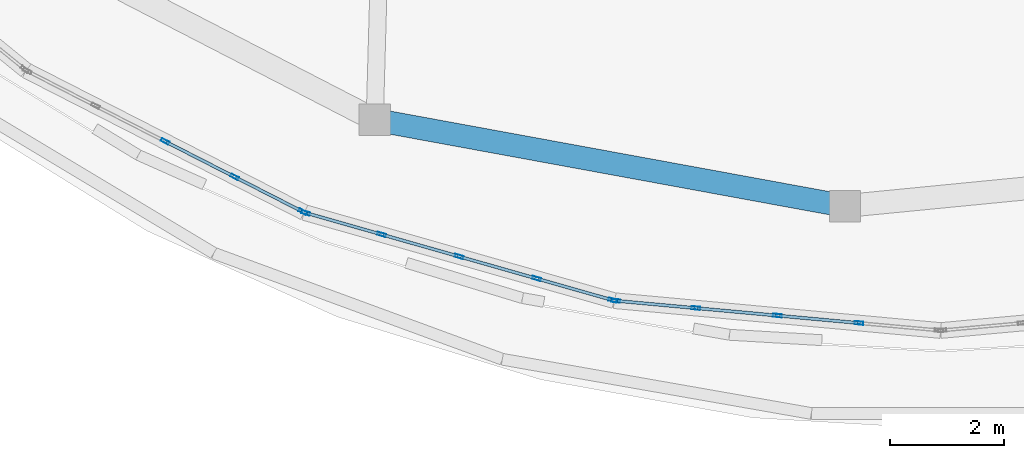
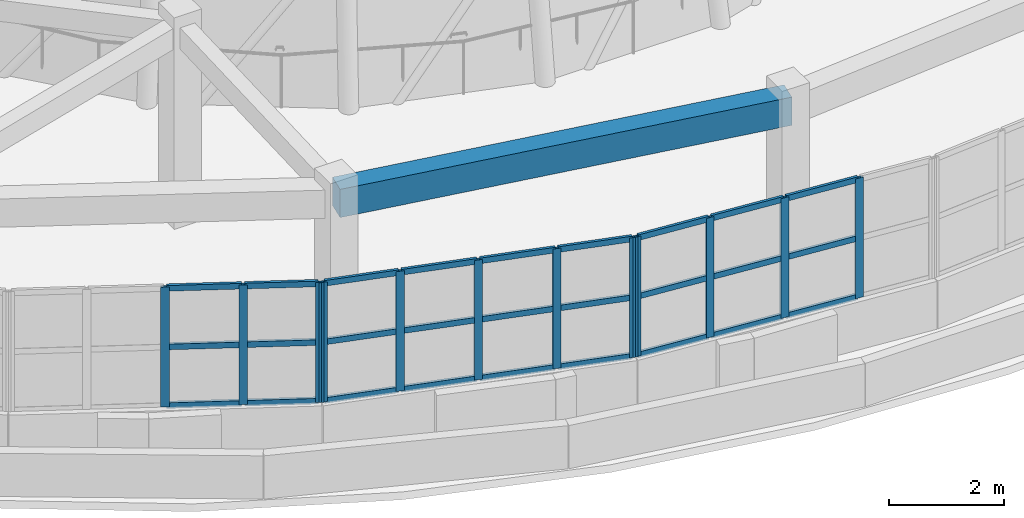
# One storey, part 2 of 46: 39 members, 1 beam, 3 elements without a shape of their own.
"""IFC4 building model written with IfcOpenShell, lengths in metres."""

from ifc_helpers import new_model, si_unit, direction, frame, origin, origin_2d, place, context, subcontext, project, spatial, rectangle, hollow_rectangle, extrude, material, layer, layer_set, material_profile, profile_set, type_object, element, aggregate, save


model = new_model("IFC4")

# Units and contexts
model_context = context("Model", 3, precision=1e-05, world=origin(), true_north=direction((0.0, 1.0)))
body_context = subcontext(model_context, "Body", "Model", "MODEL_VIEW")
ifc_project = project(units=[si_unit("LENGTHUNIT", "METRE"), si_unit("AREAUNIT", "SQUARE_METRE"), si_unit("VOLUMEUNIT", "CUBIC_METRE"), si_unit("PLANEANGLEUNIT", "RADIAN"), si_unit("MASSUNIT", "GRAM", prefix="KILO")], contexts=[model_context])

# Site, building, storey
site_placement = place(None, origin())
site = spatial("IfcSite", under=ifc_project, at=site_placement, CompositionType="ELEMENT")
building_placement = place(site_placement, origin())
building = spatial("IfcBuilding", under=site, at=building_placement, Name="Pelvatis Terrace Science Centre", CompositionType="ELEMENT")
storey_placement = place(building_placement, frame((0.0, 0.0, 19.800048828125)))
storey = spatial("IfcBuildingStorey", under=building, at=storey_placement, Name="L04", CompositionType="ELEMENT", Elevation=19.800048828125)

# Beam
ifc_material_1 = material(Name="Concrete C35/45", Category="concrete")
ifc_material_profile_1 = material_profile(ifc_material_1, rectangle(XDim=0.39990234375, YDim=0.60009765625, at=origin_2d()), Name="RC-BM 400x600")
ifc_profile_set_1 = profile_set([ifc_material_profile_1], Name="Concrete C35/45")
beam_type = type_object("IfcBeamType", Name="BM-RC-400x600", PredefinedType="BEAM", material=ifc_profile_set_1)
beam_placement = place(storey_placement, frame((99.705078125, 67.434326171875, 3.949951171875), z_axis=(0.983601549943, -0.180355179991, 0.0), x_axis=(0.180355179991, 0.983601549943, 0.0)))
element("IfcBeam", 1, at=beam_placement, inside=storey, type_object=beam_type, Name="Beam BM-L04-3094", PredefinedType="BEAM", context=body_context, shape_type="SweptSolid", body=[
    extrude(rectangle(XDim=0.39990234375, YDim=0.60009765625, at=origin_2d()), origin(), (0.0, 0.0, 1.0), 8.3603515625),
])

# Curtain wall, members
ifc_material_2 = material(Name="Bronze-anodised aluminium and laminated glass", Category="aluminium")
ifc_layer = layer(ifc_material_2, 0.14990234375)
ifc_layer_set = layer_set([ifc_layer], Name="Bronze-anodised aluminium and laminated glass")
curtain_wall_type = type_object("IfcCurtainWallType", Name="CW-PASSAGE-C", PredefinedType="NOTDEFINED", material=ifc_layer_set)
curtain_wall_1_placement = place(storey_placement, origin())
curtain_wall_1 = element("IfcCurtainWall", 2, at=curtain_wall_1_placement, inside=storey, type_object=curtain_wall_type, Name="Ribbon curtain wall CW-229 (L04)", PredefinedType="NOTDEFINED")
ifc_material_3 = material(Name="Bronze-anodised aluminium 6063-T6", Category="aluminium")
ifc_material_profile_2 = material_profile(ifc_material_3, hollow_rectangle(XDim=0.054931640625, YDim=0.14990234375, WallThickness=0.00390625, at=origin_2d()), Name="ALU-MUL 55x150")
ifc_profile_set_2 = profile_set([ifc_material_profile_2], Name="Bronze-anodised aluminium 6063-T6")
member_type_1 = type_object("IfcMemberType", Name="CWM-55x150", PredefinedType="MULLION", material=ifc_profile_set_2)
member_1_placement = place(storey_placement, frame((96.039306640625, 67.056884765625, 1.02001953125), z_axis=(0.0, 0.0, 1.0), x_axis=(0.454858737992, 0.890563601587, 0.0)))
member_1 = element("IfcMember", 3, at=member_1_placement, type_object=member_type_1, Name="CW-229 mullion 3", PredefinedType="MULLION", context=body_context, shape_type="SweptSolid", body=[
    extrude(hollow_rectangle(XDim=0.054931640625, YDim=0.14990234375, WallThickness=0.00390625, at=origin_2d()), origin(), (0.0, 0.0, 1.0), 2.550048828125),
])
member_2_placement = place(storey_placement, frame((97.255126953125, 66.435791015625, 1.02001953125), z_axis=(0.0, 0.0, 1.0), x_axis=(0.454858737992, 0.890563601587, 0.0)))
member_2 = element("IfcMember", 4, at=member_2_placement, type_object=member_type_1, Name="CW-229 mullion 4", PredefinedType="MULLION", context=body_context, shape_type="SweptSolid", body=[
    extrude(hollow_rectangle(XDim=0.054931640625, YDim=0.14990234375, WallThickness=0.00390625, at=origin_2d()), origin(), (0.0, 0.0, 1.0), 2.550048828125),
])
member_3_placement = place(storey_placement, frame((98.4462890625, 65.827392578125, 1.02001953125), z_axis=(0.0, 0.0, 1.0), x_axis=(0.454858737992, 0.890563601587, 0.0)))
member_3 = element("IfcMember", 5, at=member_3_placement, type_object=member_type_1, Name="CW-229 mullion 5", PredefinedType="MULLION", context=body_context, shape_type="SweptSolid", body=[
    extrude(hollow_rectangle(XDim=0.054931640625, YDim=0.14990234375, WallThickness=0.00390625, at=origin_2d()), origin(), (0.0, 0.0, 1.0), 2.550048828125),
])

curtain_wall_2_placement = place(storey_placement, origin())
curtain_wall_2 = element("IfcCurtainWall", 6, at=curtain_wall_2_placement, inside=storey, type_object=curtain_wall_type, Name="Ribbon curtain wall CW-230 (L04)", PredefinedType="NOTDEFINED")
member_4_placement = place(storey_placement, frame((98.497314453125, 65.807373046875, 1.02001953125), z_axis=(0.0, 0.0, 1.0), x_axis=(0.273577429116, 0.96184998325, 0.0)))
member_4 = element("IfcMember", 7, at=member_4_placement, type_object=member_type_1, Name="CW-230 mullion 1", PredefinedType="MULLION", context=body_context, shape_type="SweptSolid", body=[
    extrude(hollow_rectangle(XDim=0.054931640625, YDim=0.14990234375, WallThickness=0.00390625, at=origin_2d()), origin(), (0.0, 0.0, 1.0), 2.550048828125),
])
member_5_placement = place(storey_placement, frame((99.826171875, 65.42919921875, 1.02001953125), z_axis=(0.0, 0.0, 1.0), x_axis=(0.273577429116, 0.96184998325, 0.0)))
member_5 = element("IfcMember", 8, at=member_5_placement, type_object=member_type_1, Name="CW-230 mullion 2", PredefinedType="MULLION", context=body_context, shape_type="SweptSolid", body=[
    extrude(hollow_rectangle(XDim=0.054931640625, YDim=0.14990234375, WallThickness=0.00390625, at=origin_2d()), origin(), (0.0, 0.0, 1.0), 2.550048828125),
])
member_6_placement = place(storey_placement, frame((101.181640625, 65.043701171875, 1.02001953125), z_axis=(0.0, 0.0, 1.0), x_axis=(0.273577429116, 0.96184998325, 0.0)))
member_6 = element("IfcMember", 9, at=member_6_placement, type_object=member_type_1, Name="CW-230 mullion 3", PredefinedType="MULLION", context=body_context, shape_type="SweptSolid", body=[
    extrude(hollow_rectangle(XDim=0.054931640625, YDim=0.14990234375, WallThickness=0.00390625, at=origin_2d()), origin(), (0.0, 0.0, 1.0), 2.550048828125),
])
member_7_placement = place(storey_placement, frame((102.536865234375, 64.658203125, 1.02001953125), z_axis=(0.0, 0.0, 1.0), x_axis=(0.273577429116, 0.96184998325, 0.0)))
member_7 = element("IfcMember", 10, at=member_7_placement, type_object=member_type_1, Name="CW-230 mullion 4", PredefinedType="MULLION", context=body_context, shape_type="SweptSolid", body=[
    extrude(hollow_rectangle(XDim=0.054931640625, YDim=0.14990234375, WallThickness=0.00390625, at=origin_2d()), origin(), (0.0, 0.0, 1.0), 2.550048828125),
])
member_8_placement = place(storey_placement, frame((103.865966796875, 64.2802734375, 1.02001953125), z_axis=(0.0, 0.0, 1.0), x_axis=(0.273577429116, 0.96184998325, 0.0)))
member_8 = element("IfcMember", 11, at=member_8_placement, type_object=member_type_1, Name="CW-230 mullion 5", PredefinedType="MULLION", context=body_context, shape_type="SweptSolid", body=[
    extrude(hollow_rectangle(XDim=0.054931640625, YDim=0.14990234375, WallThickness=0.00390625, at=origin_2d()), origin(), (0.0, 0.0, 1.0), 2.550048828125),
])

curtain_wall_3_placement = place(storey_placement, origin())
curtain_wall_3 = element("IfcCurtainWall", 12, at=curtain_wall_3_placement, inside=storey, type_object=curtain_wall_type, Name="Ribbon curtain wall CW-231 (L04)", PredefinedType="NOTDEFINED")
member_9_placement = place(storey_placement, frame((103.919677734375, 64.270263671875, 1.02001953125), z_axis=(0.0, 0.0, 1.0), x_axis=(0.09121373299, 0.995831338588, 0.0)))
member_9 = element("IfcMember", 13, at=member_9_placement, type_object=member_type_1, Name="CW-231 mullion 1", PredefinedType="MULLION", context=body_context, shape_type="SweptSolid", body=[
    extrude(hollow_rectangle(XDim=0.054931640625, YDim=0.14990234375, WallThickness=0.00390625, at=origin_2d()), origin(), (0.0, 0.0, 1.0), 2.550048828125),
])
member_10_placement = place(storey_placement, frame((105.3193359375, 64.14208984375, 1.02001953125), z_axis=(0.0, 0.0, 1.0), x_axis=(0.09121373299, 0.995831338588, 0.0)))
member_10 = element("IfcMember", 14, at=member_10_placement, type_object=member_type_1, Name="CW-231 mullion 2", PredefinedType="MULLION", context=body_context, shape_type="SweptSolid", body=[
    extrude(hollow_rectangle(XDim=0.054931640625, YDim=0.14990234375, WallThickness=0.00390625, at=origin_2d()), origin(), (0.0, 0.0, 1.0), 2.550048828125),
])
member_11_placement = place(storey_placement, frame((106.74609375, 64.011474609375, 1.02001953125), z_axis=(0.0, 0.0, 1.0), x_axis=(0.09121373299, 0.995831338588, 0.0)))
member_11 = element("IfcMember", 15, at=member_11_placement, type_object=member_type_1, Name="CW-231 mullion 3", PredefinedType="MULLION", context=body_context, shape_type="SweptSolid", body=[
    extrude(hollow_rectangle(XDim=0.054931640625, YDim=0.14990234375, WallThickness=0.00390625, at=origin_2d()), origin(), (0.0, 0.0, 1.0), 2.550048828125),
])
member_12_placement = place(storey_placement, frame((108.173095703125, 63.880615234375, 1.02001953125), z_axis=(0.0, 0.0, 1.0), x_axis=(0.09121373299, 0.995831338588, 0.0)))
member_12 = element("IfcMember", 16, at=member_12_placement, type_object=member_type_1, Name="CW-231 mullion 4", PredefinedType="MULLION", context=body_context, shape_type="SweptSolid", body=[
    extrude(hollow_rectangle(XDim=0.054931640625, YDim=0.14990234375, WallThickness=0.00390625, at=origin_2d()), origin(), (0.0, 0.0, 1.0), 2.550048828125),
])

# Member
ifc_material_4 = material(Name="Bronze-anodised aluminium 6063-T6", Category="aluminium")
ifc_material_profile_3 = material_profile(ifc_material_4, hollow_rectangle(XDim=0.054931640625, YDim=0.1201171875, WallThickness=0.00341796875, at=origin_2d()), Name="ALU-TRN 55x120")
ifc_profile_set_3 = profile_set([ifc_material_profile_3], Name="Bronze-anodised aluminium 6063-T6")
member_type_2 = type_object("IfcMemberType", Name="CWT-55x120", PredefinedType="USERDEFINED", material=ifc_profile_set_3)
member_13_placement = place(storey_placement, frame((96.063720703125, 67.044189453125, 1.04736328125), z_axis=(0.890555477647, -0.454874643427, 0.0), x_axis=(0.454874643427, 0.890555477647, 0.0)))
member_13 = element("IfcMember", 17, at=member_13_placement, type_object=member_type_2, Name="CW-229 transom 3.1", ObjectType="TRANSOM", PredefinedType="USERDEFINED", context=body_context, shape_type="SweptSolid", body=[
    extrude(hollow_rectangle(XDim=0.054931640625, YDim=0.1201171875, WallThickness=0.00341796875, at=origin_2d()), origin(), (0.0, 0.0, 1.0), 1.31005859375),
])

member_14_placement = place(storey_placement, frame((96.063720703125, 67.044189453125, 2.294921875), z_axis=(0.890555477647, -0.454874643427, 0.0), x_axis=(0.454874643427, 0.890555477647, 0.0)))
member_14 = element("IfcMember", 18, at=member_14_placement, type_object=member_type_2, Name="CW-229 transom 3.2", ObjectType="TRANSOM", PredefinedType="USERDEFINED", context=body_context, shape_type="SweptSolid", body=[
    extrude(hollow_rectangle(XDim=0.054931640625, YDim=0.1201171875, WallThickness=0.00341796875, at=origin_2d()), origin(), (0.0, 0.0, 1.0), 1.31005859375),
])

member_15_placement = place(storey_placement, frame((96.063720703125, 67.044189453125, 3.54248046875), z_axis=(0.890555477647, -0.454874643427, 0.0), x_axis=(0.454874643427, 0.890555477647, 0.0)))
member_15 = element("IfcMember", 19, at=member_15_placement, type_object=member_type_2, Name="CW-229 transom 3.3", ObjectType="TRANSOM", PredefinedType="USERDEFINED", context=body_context, shape_type="SweptSolid", body=[
    extrude(hollow_rectangle(XDim=0.054931640625, YDim=0.1201171875, WallThickness=0.00341796875, at=origin_2d()), origin(), (0.0, 0.0, 1.0), 1.31005859375),
])

member_16_placement = place(storey_placement, frame((97.279541015625, 66.42333984375, 1.04736328125), z_axis=(0.89054949215, -0.454886361667, 0.0), x_axis=(0.454886361667, 0.89054949215, 0.0)))
member_16 = element("IfcMember", 20, at=member_16_placement, type_object=member_type_2, Name="CW-229 transom 4.1", ObjectType="TRANSOM", PredefinedType="USERDEFINED", context=body_context, shape_type="SweptSolid", body=[
    extrude(hollow_rectangle(XDim=0.054931640625, YDim=0.1201171875, WallThickness=0.00341796875, at=origin_2d()), origin(), (0.0, 0.0, 1.0), 1.28271484375),
])

member_17_placement = place(storey_placement, frame((97.279541015625, 66.42333984375, 2.294921875), z_axis=(0.89054949215, -0.454886361667, 0.0), x_axis=(0.454886361667, 0.89054949215, 0.0)))
member_17 = element("IfcMember", 21, at=member_17_placement, type_object=member_type_2, Name="CW-229 transom 4.2", ObjectType="TRANSOM", PredefinedType="USERDEFINED", context=body_context, shape_type="SweptSolid", body=[
    extrude(hollow_rectangle(XDim=0.054931640625, YDim=0.1201171875, WallThickness=0.00341796875, at=origin_2d()), origin(), (0.0, 0.0, 1.0), 1.28271484375),
])

member_18_placement = place(storey_placement, frame((97.279541015625, 66.42333984375, 3.54248046875), z_axis=(0.89054949215, -0.454886361667, 0.0), x_axis=(0.454886361667, 0.89054949215, 0.0)))
member_18 = element("IfcMember", 22, at=member_18_placement, type_object=member_type_2, Name="CW-229 transom 4.3", ObjectType="TRANSOM", PredefinedType="USERDEFINED", context=body_context, shape_type="SweptSolid", body=[
    extrude(hollow_rectangle(XDim=0.054931640625, YDim=0.1201171875, WallThickness=0.00341796875, at=origin_2d()), origin(), (0.0, 0.0, 1.0), 1.28271484375),
])

aggregate(curtain_wall_1, [member_1, member_2, member_3, member_13, member_14, member_15, member_16, member_17, member_18])

member_19_placement = place(storey_placement, frame((98.523681640625, 65.7998046875, 1.04736328125), z_axis=(0.961835800518, -0.27362728819, 0.0), x_axis=(0.27362728819, 0.961835800518, 0.0)))
member_19 = element("IfcMember", 23, at=member_19_placement, type_object=member_type_2, Name="CW-230 transom 1.1", ObjectType="TRANSOM", PredefinedType="USERDEFINED", context=body_context, shape_type="SweptSolid", body=[
    extrude(hollow_rectangle(XDim=0.054931640625, YDim=0.1201171875, WallThickness=0.00341796875, at=origin_2d()), origin(), (0.0, 0.0, 1.0), 1.32666015625),
])

member_20_placement = place(storey_placement, frame((98.523681640625, 65.7998046875, 2.294921875), z_axis=(0.961835800518, -0.27362728819, 0.0), x_axis=(0.27362728819, 0.961835800518, 0.0)))
member_20 = element("IfcMember", 24, at=member_20_placement, type_object=member_type_2, Name="CW-230 transom 1.2", ObjectType="TRANSOM", PredefinedType="USERDEFINED", context=body_context, shape_type="SweptSolid", body=[
    extrude(hollow_rectangle(XDim=0.054931640625, YDim=0.1201171875, WallThickness=0.00341796875, at=origin_2d()), origin(), (0.0, 0.0, 1.0), 1.32666015625),
])

member_21_placement = place(storey_placement, frame((98.523681640625, 65.7998046875, 3.54248046875), z_axis=(0.961835800518, -0.27362728819, 0.0), x_axis=(0.27362728819, 0.961835800518, 0.0)))
member_21 = element("IfcMember", 25, at=member_21_placement, type_object=member_type_2, Name="CW-230 transom 1.3", ObjectType="TRANSOM", PredefinedType="USERDEFINED", context=body_context, shape_type="SweptSolid", body=[
    extrude(hollow_rectangle(XDim=0.054931640625, YDim=0.1201171875, WallThickness=0.00341796875, at=origin_2d()), origin(), (0.0, 0.0, 1.0), 1.32666015625),
])

member_22_placement = place(storey_placement, frame((99.852783203125, 65.421875, 1.04736328125), z_axis=(0.961809212315, -0.273720731964, 0.0), x_axis=(0.273720731964, 0.961809212315, 0.0)))
member_22 = element("IfcMember", 26, at=member_22_placement, type_object=member_type_2, Name="CW-230 transom 2.1", ObjectType="TRANSOM", PredefinedType="USERDEFINED", context=body_context, shape_type="SweptSolid", body=[
    extrude(hollow_rectangle(XDim=0.054931640625, YDim=0.1201171875, WallThickness=0.00341796875, at=origin_2d()), origin(), (0.0, 0.0, 1.0), 1.35400390625),
])

member_23_placement = place(storey_placement, frame((99.852783203125, 65.421875, 2.294921875), z_axis=(0.961809212315, -0.273720731964, 0.0), x_axis=(0.273720731964, 0.961809212315, 0.0)))
member_23 = element("IfcMember", 27, at=member_23_placement, type_object=member_type_2, Name="CW-230 transom 2.2", ObjectType="TRANSOM", PredefinedType="USERDEFINED", context=body_context, shape_type="SweptSolid", body=[
    extrude(hollow_rectangle(XDim=0.054931640625, YDim=0.1201171875, WallThickness=0.00341796875, at=origin_2d()), origin(), (0.0, 0.0, 1.0), 1.35400390625),
])

member_24_placement = place(storey_placement, frame((99.852783203125, 65.421875, 3.54248046875), z_axis=(0.961809212315, -0.273720731964, 0.0), x_axis=(0.273720731964, 0.961809212315, 0.0)))
member_24 = element("IfcMember", 28, at=member_24_placement, type_object=member_type_2, Name="CW-230 transom 2.3", ObjectType="TRANSOM", PredefinedType="USERDEFINED", context=body_context, shape_type="SweptSolid", body=[
    extrude(hollow_rectangle(XDim=0.054931640625, YDim=0.1201171875, WallThickness=0.00341796875, at=origin_2d()), origin(), (0.0, 0.0, 1.0), 1.35400390625),
])

member_25_placement = place(storey_placement, frame((101.2080078125, 65.036376953125, 1.04736328125), z_axis=(0.961822718675, -0.273673268407, 0.0), x_axis=(0.273673268407, 0.961822718675, 0.0)))
member_25 = element("IfcMember", 29, at=member_25_placement, type_object=member_type_2, Name="CW-230 transom 3.1", ObjectType="TRANSOM", PredefinedType="USERDEFINED", context=body_context, shape_type="SweptSolid", body=[
    extrude(hollow_rectangle(XDim=0.054931640625, YDim=0.1201171875, WallThickness=0.00341796875, at=origin_2d()), origin(), (0.0, 0.0, 1.0), 1.354248046875),
])

member_26_placement = place(storey_placement, frame((101.2080078125, 65.036376953125, 2.294921875), z_axis=(0.961822718675, -0.273673268407, 0.0), x_axis=(0.273673268407, 0.961822718675, 0.0)))
member_26 = element("IfcMember", 30, at=member_26_placement, type_object=member_type_2, Name="CW-230 transom 3.2", ObjectType="TRANSOM", PredefinedType="USERDEFINED", context=body_context, shape_type="SweptSolid", body=[
    extrude(hollow_rectangle(XDim=0.054931640625, YDim=0.1201171875, WallThickness=0.00341796875, at=origin_2d()), origin(), (0.0, 0.0, 1.0), 1.354248046875),
])

member_27_placement = place(storey_placement, frame((101.2080078125, 65.036376953125, 3.54248046875), z_axis=(0.961822718675, -0.273673268407, 0.0), x_axis=(0.273673268407, 0.961822718675, 0.0)))
member_27 = element("IfcMember", 31, at=member_27_placement, type_object=member_type_2, Name="CW-230 transom 3.3", ObjectType="TRANSOM", PredefinedType="USERDEFINED", context=body_context, shape_type="SweptSolid", body=[
    extrude(hollow_rectangle(XDim=0.054931640625, YDim=0.1201171875, WallThickness=0.00341796875, at=origin_2d()), origin(), (0.0, 0.0, 1.0), 1.354248046875),
])

member_28_placement = place(storey_placement, frame((102.5634765625, 64.65087890625, 1.04736328125), z_axis=(0.96182201946, -0.273675725782, 0.0), x_axis=(0.273675725782, 0.96182201946, 0.0)))
member_28 = element("IfcMember", 32, at=member_28_placement, type_object=member_type_2, Name="CW-230 transom 4.1", ObjectType="TRANSOM", PredefinedType="USERDEFINED", context=body_context, shape_type="SweptSolid", body=[
    extrude(hollow_rectangle(XDim=0.054931640625, YDim=0.1201171875, WallThickness=0.00341796875, at=origin_2d()), origin(), (0.0, 0.0, 1.0), 1.326416015625),
])

member_29_placement = place(storey_placement, frame((102.5634765625, 64.65087890625, 2.294921875), z_axis=(0.96182201946, -0.273675725782, 0.0), x_axis=(0.273675725782, 0.96182201946, 0.0)))
member_29 = element("IfcMember", 33, at=member_29_placement, type_object=member_type_2, Name="CW-230 transom 4.2", ObjectType="TRANSOM", PredefinedType="USERDEFINED", context=body_context, shape_type="SweptSolid", body=[
    extrude(hollow_rectangle(XDim=0.054931640625, YDim=0.1201171875, WallThickness=0.00341796875, at=origin_2d()), origin(), (0.0, 0.0, 1.0), 1.326416015625),
])

member_30_placement = place(storey_placement, frame((102.5634765625, 64.65087890625, 3.54248046875), z_axis=(0.96182201946, -0.273675725782, 0.0), x_axis=(0.273675725782, 0.96182201946, 0.0)))
member_30 = element("IfcMember", 34, at=member_30_placement, type_object=member_type_2, Name="CW-230 transom 4.3", ObjectType="TRANSOM", PredefinedType="USERDEFINED", context=body_context, shape_type="SweptSolid", body=[
    extrude(hollow_rectangle(XDim=0.054931640625, YDim=0.1201171875, WallThickness=0.00341796875, at=origin_2d()), origin(), (0.0, 0.0, 1.0), 1.326416015625),
])

aggregate(curtain_wall_2, [member_4, member_5, member_6, member_7, member_8, member_19, member_20, member_21, member_22, member_23, member_24, member_25, member_26, member_27, member_28, member_29, member_30])

member_31_placement = place(storey_placement, frame((103.947021484375, 64.267822265625, 1.04736328125), z_axis=(0.995823260917, -0.091301878497, 0.0), x_axis=(0.091301878497, 0.995823260917, 0.0)))
member_31 = element("IfcMember", 35, at=member_31_placement, type_object=member_type_2, Name="CW-231 transom 1.1", ObjectType="TRANSOM", PredefinedType="USERDEFINED", context=body_context, shape_type="SweptSolid", body=[
    extrude(hollow_rectangle(XDim=0.054931640625, YDim=0.1201171875, WallThickness=0.00341796875, at=origin_2d()), origin(), (0.0, 0.0, 1.0), 1.350341796875),
])

member_32_placement = place(storey_placement, frame((103.947021484375, 64.267822265625, 2.294921875), z_axis=(0.995823260917, -0.091301878497, 0.0), x_axis=(0.091301878497, 0.995823260917, 0.0)))
member_32 = element("IfcMember", 36, at=member_32_placement, type_object=member_type_2, Name="CW-231 transom 1.2", ObjectType="TRANSOM", PredefinedType="USERDEFINED", context=body_context, shape_type="SweptSolid", body=[
    extrude(hollow_rectangle(XDim=0.054931640625, YDim=0.1201171875, WallThickness=0.00341796875, at=origin_2d()), origin(), (0.0, 0.0, 1.0), 1.350341796875),
])

member_33_placement = place(storey_placement, frame((103.947021484375, 64.267822265625, 3.54248046875), z_axis=(0.995823260917, -0.091301878497, 0.0), x_axis=(0.091301878497, 0.995823260917, 0.0)))
member_33 = element("IfcMember", 37, at=member_33_placement, type_object=member_type_2, Name="CW-231 transom 1.3", ObjectType="TRANSOM", PredefinedType="USERDEFINED", context=body_context, shape_type="SweptSolid", body=[
    extrude(hollow_rectangle(XDim=0.054931640625, YDim=0.1201171875, WallThickness=0.00341796875, at=origin_2d()), origin(), (0.0, 0.0, 1.0), 1.350341796875),
])

member_34_placement = place(storey_placement, frame((105.3466796875, 64.1396484375, 1.04736328125), z_axis=(0.995827588698, -0.091254663377, 0.0), x_axis=(0.091254663377, 0.995827588698, 0.0)))
member_34 = element("IfcMember", 38, at=member_34_placement, type_object=member_type_2, Name="CW-231 transom 2.1", ObjectType="TRANSOM", PredefinedType="USERDEFINED", context=body_context, shape_type="SweptSolid", body=[
    extrude(hollow_rectangle(XDim=0.054931640625, YDim=0.1201171875, WallThickness=0.00341796875, at=origin_2d()), origin(), (0.0, 0.0, 1.0), 1.3779296875),
])

member_35_placement = place(storey_placement, frame((105.3466796875, 64.1396484375, 2.294921875), z_axis=(0.995827588698, -0.091254663377, 0.0), x_axis=(0.091254663377, 0.995827588698, 0.0)))
member_35 = element("IfcMember", 39, at=member_35_placement, type_object=member_type_2, Name="CW-231 transom 2.2", ObjectType="TRANSOM", PredefinedType="USERDEFINED", context=body_context, shape_type="SweptSolid", body=[
    extrude(hollow_rectangle(XDim=0.054931640625, YDim=0.1201171875, WallThickness=0.00341796875, at=origin_2d()), origin(), (0.0, 0.0, 1.0), 1.3779296875),
])

member_36_placement = place(storey_placement, frame((105.3466796875, 64.1396484375, 3.54248046875), z_axis=(0.995827588698, -0.091254663377, 0.0), x_axis=(0.091254663377, 0.995827588698, 0.0)))
member_36 = element("IfcMember", 40, at=member_36_placement, type_object=member_type_2, Name="CW-231 transom 2.3", ObjectType="TRANSOM", PredefinedType="USERDEFINED", context=body_context, shape_type="SweptSolid", body=[
    extrude(hollow_rectangle(XDim=0.054931640625, YDim=0.1201171875, WallThickness=0.00341796875, at=origin_2d()), origin(), (0.0, 0.0, 1.0), 1.3779296875),
])

member_37_placement = place(storey_placement, frame((106.7734375, 64.0087890625, 1.04736328125), z_axis=(0.995845145244, -0.091062872203, 0.0), x_axis=(0.091062872203, 0.995845145244, 0.0)))
member_37 = element("IfcMember", 41, at=member_37_placement, type_object=member_type_2, Name="CW-231 transom 3.1", ObjectType="TRANSOM", PredefinedType="USERDEFINED", context=body_context, shape_type="SweptSolid", body=[
    extrude(hollow_rectangle(XDim=0.054931640625, YDim=0.1201171875, WallThickness=0.00341796875, at=origin_2d()), origin(), (0.0, 0.0, 1.0), 1.3779296875),
])

member_38_placement = place(storey_placement, frame((106.7734375, 64.0087890625, 2.294921875), z_axis=(0.995845145244, -0.091062872203, 0.0), x_axis=(0.091062872203, 0.995845145244, 0.0)))
member_38 = element("IfcMember", 42, at=member_38_placement, type_object=member_type_2, Name="CW-231 transom 3.2", ObjectType="TRANSOM", PredefinedType="USERDEFINED", context=body_context, shape_type="SweptSolid", body=[
    extrude(hollow_rectangle(XDim=0.054931640625, YDim=0.1201171875, WallThickness=0.00341796875, at=origin_2d()), origin(), (0.0, 0.0, 1.0), 1.3779296875),
])

member_39_placement = place(storey_placement, frame((106.7734375, 64.0087890625, 3.54248046875), z_axis=(0.995845145244, -0.091062872203, 0.0), x_axis=(0.091062872203, 0.995845145244, 0.0)))
member_39 = element("IfcMember", 43, at=member_39_placement, type_object=member_type_2, Name="CW-231 transom 3.3", ObjectType="TRANSOM", PredefinedType="USERDEFINED", context=body_context, shape_type="SweptSolid", body=[
    extrude(hollow_rectangle(XDim=0.054931640625, YDim=0.1201171875, WallThickness=0.00341796875, at=origin_2d()), origin(), (0.0, 0.0, 1.0), 1.3779296875),
])

aggregate(curtain_wall_3, [member_9, member_10, member_11, member_12, member_31, member_32, member_33, member_34, member_35, member_36, member_37, member_38, member_39])

save(model, "model.ifc")
